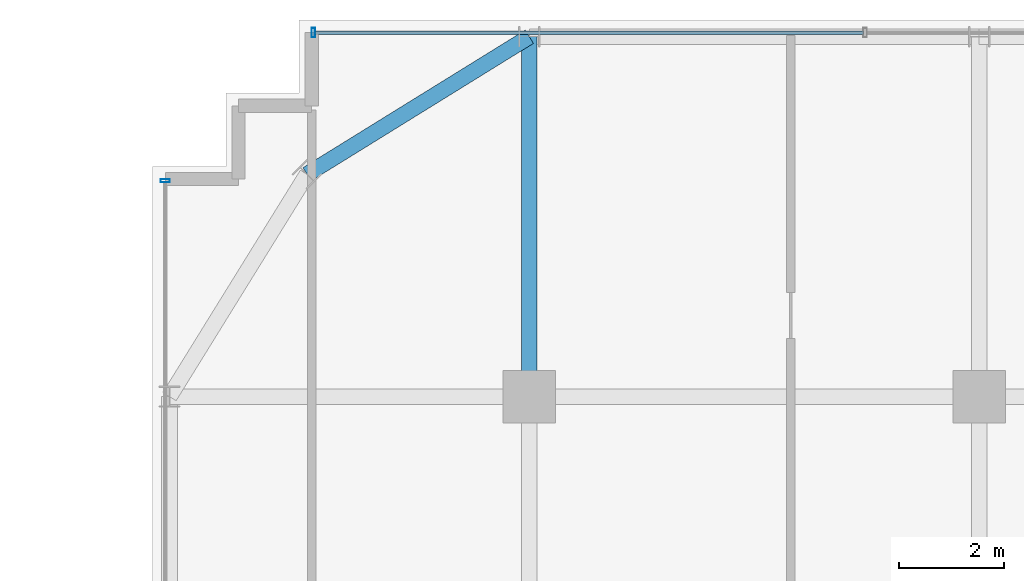
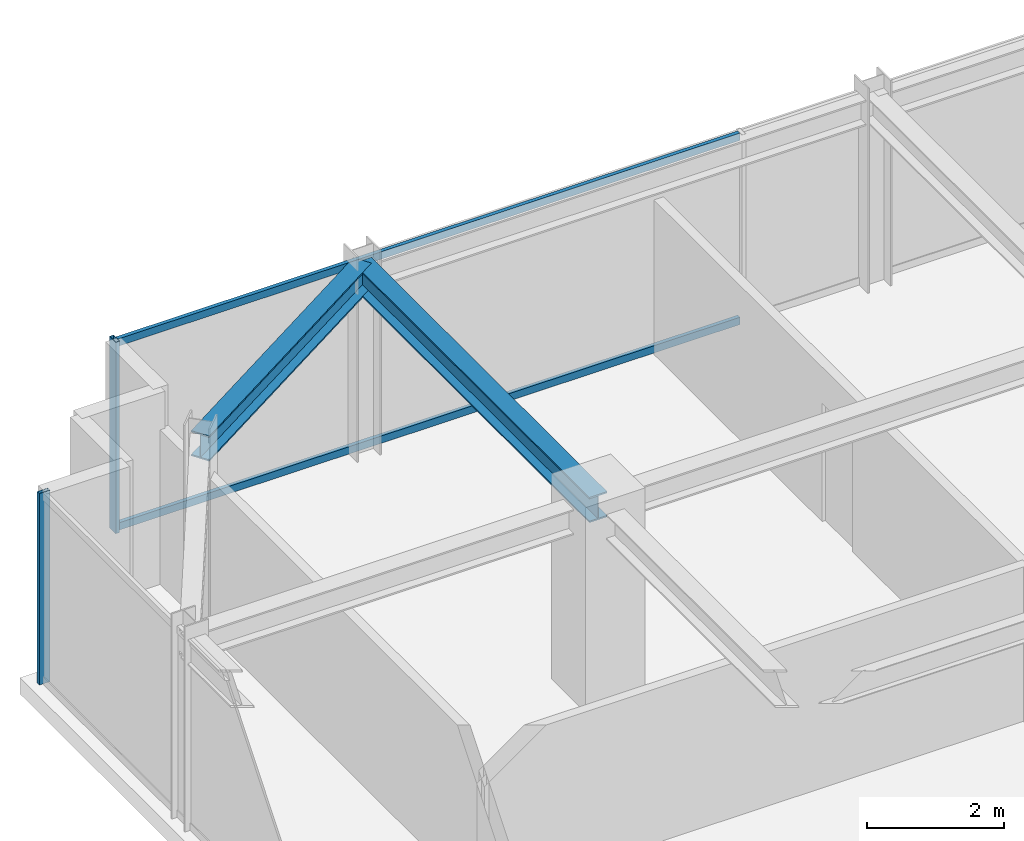
# One storey, part 20 of 35: 4 members, 2 beams, 2 elements without a shape of their own.
"""IFC4 building model written with IfcOpenShell, lengths in metres."""

from ifc_helpers import new_model, si_unit, direction, frame, origin, origin_2d, place, context, subcontext, project, spatial, hollow_rectangle, i_section, extrude, source, transform, mapped, material, material_profile, profile_set, type_object, element, aggregate, save


model = new_model("IFC4")

# Units and contexts
model_context = context("Model", 3, precision=1e-05, world=origin(), true_north=direction((0.0, 1.0)))
body_context = subcontext(model_context, "Body", "Model", "MODEL_VIEW")
ifc_project = project(units=[si_unit("LENGTHUNIT", "METRE"), si_unit("AREAUNIT", "SQUARE_METRE"), si_unit("VOLUMEUNIT", "CUBIC_METRE"), si_unit("PLANEANGLEUNIT", "RADIAN"), si_unit("MASSUNIT", "GRAM", prefix="KILO")], contexts=[model_context])

# Site, building, storey
site_placement = place(None, origin())
site = spatial("IfcSite", under=ifc_project, at=site_placement, CompositionType="ELEMENT")
building_placement = place(site_placement, origin())
building = spatial("IfcBuilding", under=site, at=building_placement, Name="Nahalor Promenade Grand Hotel", CompositionType="ELEMENT")
storey_placement = place(building_placement, frame((0.0, 0.0, 245.60009765625)))
storey = spatial("IfcBuildingStorey", under=building, at=storey_placement, Name="L63", CompositionType="ELEMENT", Elevation=245.60009765625)

# Beams
ifc_material_1 = material(Name="Steel S355JR", Category="steel")
ifc_material_profile_1 = material_profile(ifc_material_1, i_section(OverallWidth=0.3, OverallDepth=0.45, WebThickness=0.014, FlangeThickness=0.026, at=origin_2d()), Name="HEB 450")
ifc_profile_set_1 = profile_set([ifc_material_profile_1], Name="Steel S355JR")
beam_type_1 = type_object("IfcBeamType", Name="Beam-Spandrel-HEB450", PredefinedType="SPANDREL", material=ifc_profile_set_1)
shared_shape_1 = source(origin(), body_context, "Body", "SweptSolid", [
    extrude(i_section(OverallWidth=0.3, OverallDepth=0.45, WebThickness=0.014, FlangeThickness=0.026, at=origin_2d()), origin(), (0.0, 0.0, 1.0), 4.997802734375),
])
beam_1_placement = place(storey_placement, frame((-17.0, 23.8798828125, 3.184814453125), z_axis=(-0.850360908404, -0.526199891161, 0.0), x_axis=(0.526199891161, -0.850360908404, 0.0)))
element("IfcBeam", 1, at=beam_1_placement, inside=storey, type_object=beam_type_1, Name="BM-L63-SPC-NW-1", PredefinedType="SPANDREL", context=body_context, shape_type="MappedRepresentation", body=[
    mapped(shared_shape_1, transform((0.0, 0.0, 0.0), scale=1.0)),
])
ifc_material_profile_2 = material_profile(ifc_material_1, i_section(OverallWidth=0.3, OverallDepth=0.45, WebThickness=0.014, FlangeThickness=0.026, at=origin_2d()), Name="HEB 450")
ifc_profile_set_2 = profile_set([ifc_material_profile_2], Name="Steel S355JR")
beam_type_2 = type_object("IfcBeamType", Name="Beam-Girder-HEB450", PredefinedType="BEAM", material=ifc_profile_set_2)
shared_shape_2 = source(origin(), body_context, "Body", "SweptSolid", [
    extrude(i_section(OverallWidth=0.3, OverallDepth=0.45, WebThickness=0.014, FlangeThickness=0.026, at=origin_2d()), origin(), (0.0, 0.0, 1.0), 6.8798828125),
])
beam_2_placement = place(storey_placement, frame((-17.0, 17.0, 3.184814453125), z_axis=(0.0, 1.0, 0.0), x_axis=(-1.0, 0.0, 0.0)))
element("IfcBeam", 2, at=beam_2_placement, inside=storey, type_object=beam_type_2, Name="BM-L63-GY-0-4", PredefinedType="BEAM", context=body_context, shape_type="MappedRepresentation", body=[
    mapped(shared_shape_2, transform((0.0, 0.0, 0.0), scale=1.0)),
])

# Curtain wall, members
ifc_material_2 = material(Name="Anodised Bronze Aluminium EN AW-6063 T6", Category="aluminium")
curtain_wall_type = type_object("IfcCurtainWallType", Name="CW2 Typical Hotel Flush Bronze Unitised Curtain Wall", PredefinedType="USERDEFINED", material=ifc_material_2)
curtain_wall_1_placement = place(storey_placement, origin())
curtain_wall_1 = element("IfcCurtainWall", 3, at=curtain_wall_1_placement, inside=storey, type_object=curtain_wall_type, Name="L63 Curtain Wall CW-L63-N-1", ObjectType="UNITISED_CURTAIN_WALL", PredefinedType="USERDEFINED")
ifc_material_profile_3 = material_profile(ifc_material_2, hollow_rectangle(XDim=0.065, YDim=0.13, WallThickness=0.004, at=origin_2d()), Name="CWT 65x130x4")
ifc_profile_set_3 = profile_set([ifc_material_profile_3], Name="Anodised Bronze Aluminium EN AW-6063 T6")
member_type_1 = type_object("IfcMemberType", Name="CWT2 Typical Bronze Transom 65x130", PredefinedType="USERDEFINED", material=ifc_profile_set_3)
shared_shape_3 = source(origin(), body_context, "Body", "SweptSolid", [
    extrude(hollow_rectangle(XDim=0.065, YDim=0.13, WallThickness=0.004, at=origin_2d()), origin(), (0.0, 0.0, 1.0), 10.482421875),
])
member_1_placement = place(storey_placement, frame((-21.094970703125, 23.9599609375, 0.06494140625), z_axis=(1.0, 0.0, 0.0), x_axis=(0.0, 1.0, 0.0)))
member_1 = element("IfcMember", 4, at=member_1_placement, type_object=member_type_1, Name="CW-L63-N-1 Transom 0-0", ObjectType="TRANSOM", PredefinedType="USERDEFINED", context=body_context, shape_type="MappedRepresentation", body=[
    mapped(shared_shape_3, transform((0.0, 0.0, 0.0), scale=1.0)),
])
member_2_placement = place(storey_placement, frame((-21.094970703125, 23.9599609375, 3.344970703125), z_axis=(1.0, 0.0, 0.0), x_axis=(0.0, 1.0, 0.0)))
member_2 = element("IfcMember", 5, at=member_2_placement, type_object=member_type_1, Name="CW-L63-N-1 Transom 0-1", ObjectType="TRANSOM", PredefinedType="USERDEFINED", context=body_context, shape_type="MappedRepresentation", body=[
    mapped(shared_shape_3, transform((0.0, 0.0, 0.0), scale=1.0)),
])
ifc_material_profile_4 = material_profile(ifc_material_2, hollow_rectangle(XDim=0.065, YDim=0.18, WallThickness=0.004, at=origin_2d()), Name="CWM 65x180x4")
ifc_profile_set_4 = profile_set([ifc_material_profile_4], Name="Anodised Bronze Aluminium EN AW-6063 T6")
member_type_2 = type_object("IfcMemberType", Name="CWM2 Typical Bronze Mullion 65x180", PredefinedType="MULLION", material=ifc_profile_set_4)
shared_shape_4 = source(origin(), body_context, "Body", "SweptSolid", [
    extrude(hollow_rectangle(XDim=0.065, YDim=0.18, WallThickness=0.004, at=origin_2d()), origin(), (0.0, 0.0, 1.0), 3.409912109375),
])
member_3_placement = place(storey_placement, frame((-21.12744140625, 23.9599609375, 0.0), z_axis=(0.0, 0.0, 1.0), x_axis=(1.0, 0.0, 0.0)))
member_3 = element("IfcMember", 6, at=member_3_placement, type_object=member_type_2, Name="CW-L63-N-1 Mullion 0", PredefinedType="MULLION", context=body_context, shape_type="MappedRepresentation", body=[
    mapped(shared_shape_4, transform((0.0, 0.0, 0.0), scale=1.0)),
])
aggregate(curtain_wall_1, [member_3, member_1, member_2])

# Curtain wall, member
curtain_wall_2_placement = place(storey_placement, origin())
curtain_wall_2 = element("IfcCurtainWall", 7, at=curtain_wall_2_placement, inside=storey, type_object=curtain_wall_type, Name="L63 Curtain Wall CW-L63-W-3", ObjectType="UNITISED_CURTAIN_WALL", PredefinedType="USERDEFINED")
member_4_placement = place(storey_placement, frame((-23.9599609375, 21.12744140625, 0.0), z_axis=(0.0, 0.0, 1.0), x_axis=(0.0, 1.0, 0.0)))
member_4 = element("IfcMember", 8, at=member_4_placement, type_object=member_type_2, Name="CW-L63-W-3 Mullion 3", PredefinedType="MULLION", context=body_context, shape_type="MappedRepresentation", body=[
    mapped(shared_shape_4, transform((0.0, 0.0, 0.0), scale=1.0)),
])
aggregate(curtain_wall_2, [member_4])

save(model, "model.ifc")
